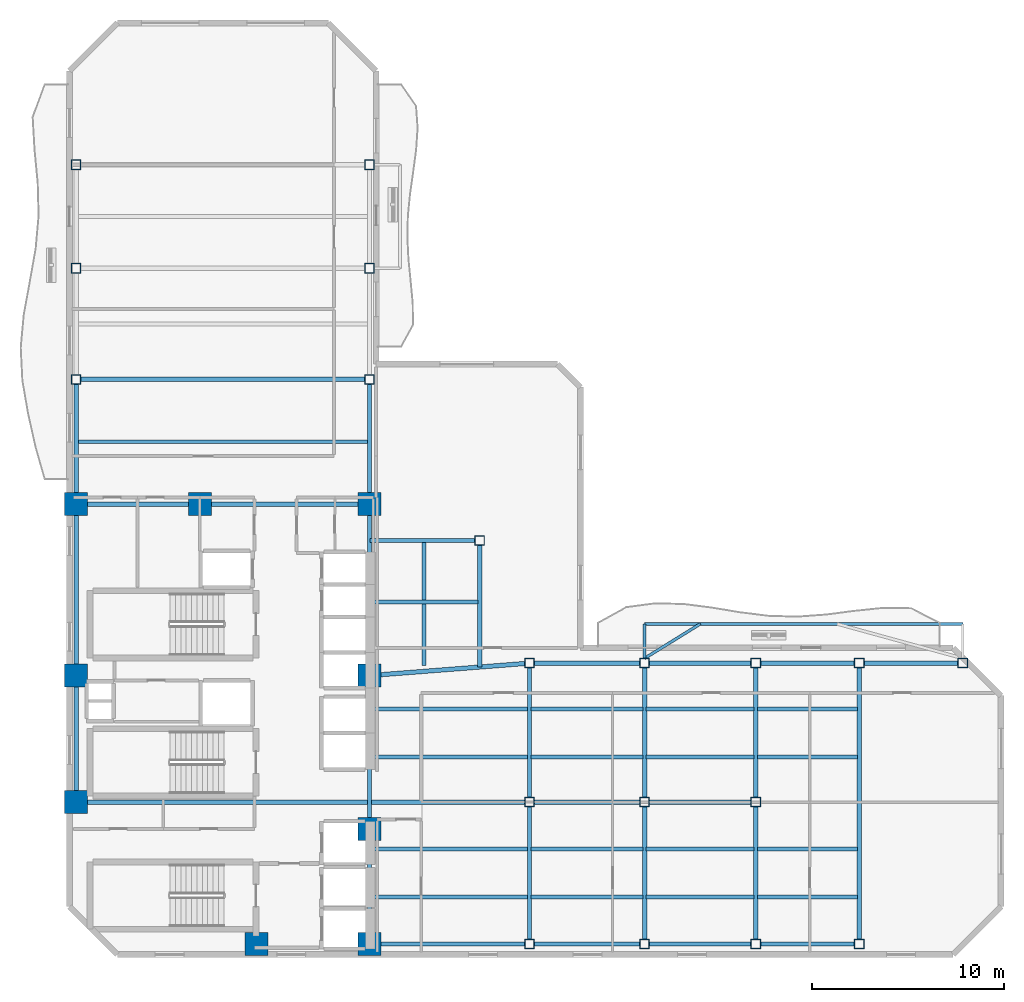
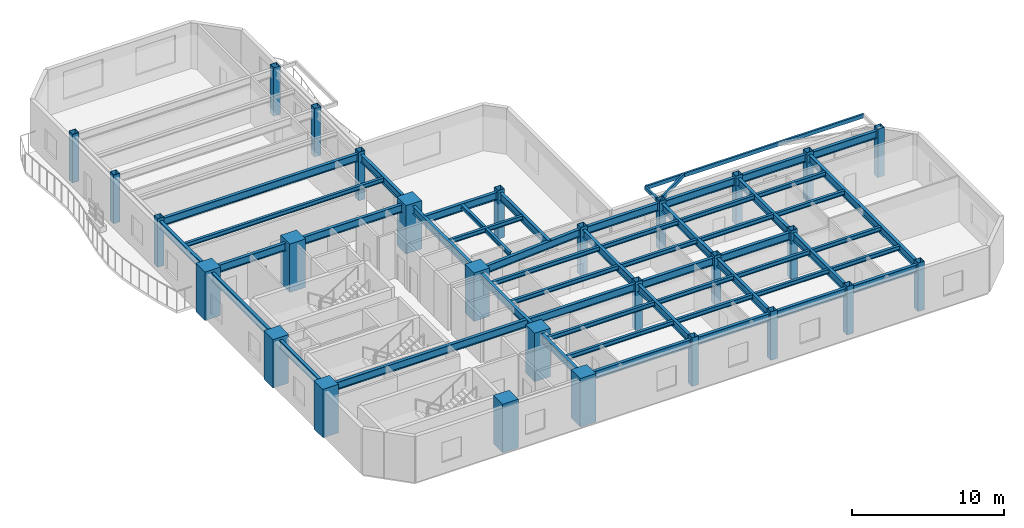
# One storey, part 1 of 9: 53 beams, 28 columns.
"""IFC4 building model written with IfcOpenShell, lengths in metres."""

from ifc_helpers import new_model, si_unit, direction, frame, origin, origin_2d, place, context, subcontext, project, spatial, rectangle, hollow_rectangle, i_section, extrude, material, material_profile, profile_set, type_object, element, save


model = new_model("IFC4")

# Units and contexts
model_context = context("Model", 3, precision=1e-05, world=origin(), true_north=direction((0.0, 1.0)))
body_context = subcontext(model_context, "Body", "Model", "MODEL_VIEW")
ifc_project = project(units=[si_unit("LENGTHUNIT", "METRE"), si_unit("AREAUNIT", "SQUARE_METRE"), si_unit("VOLUMEUNIT", "CUBIC_METRE"), si_unit("PLANEANGLEUNIT", "RADIAN"), si_unit("MASSUNIT", "GRAM", prefix="KILO")], contexts=[model_context])

# Site, building, storey
site_placement = place(None, origin())
site = spatial("IfcSite", under=ifc_project, at=site_placement, CompositionType="ELEMENT")
building_placement = place(site_placement, origin())
building = spatial("IfcBuilding", under=site, at=building_placement, Name="Mawjaban Terraces University", CompositionType="ELEMENT")
storey_placement = place(building_placement, frame((0.0, 0.0, 107.300048828125)))
storey = spatial("IfcBuildingStorey", under=building, at=storey_placement, Name="L25", CompositionType="ELEMENT", Elevation=107.300048828125)

# Columns
ifc_material_1 = material(Name="Concrete C60/75", Category="concrete")
ifc_material_profile_1 = material_profile(ifc_material_1, rectangle(XDim=1.199951171875, YDim=1.199951171875, at=origin_2d()), Name="RC1200X1200")
ifc_profile_set_1 = profile_set([ifc_material_profile_1], Name="Concrete C60/75")
column_type_1 = type_object("IfcColumnType", Name="Col_RC1200X1200", PredefinedType="COLUMN", material=ifc_profile_set_1)
for number, where, z_axis, x_axis, name in (
    (1, (31.75, 0.550048828125, 0.0), (0.0, 0.0, 1.0), (1.0, 0.0, 0.0), "L25 Column CC2"),
    (2, (37.64990234375, 0.550048828125, 0.0), (0.0, 0.0, 1.0), (1.0, 0.0, 0.0), "L25 Column CC3"),
    (3, (22.35009765625, 7.949951171875, 0.0), (0.0, 0.0, 1.0), (1.0, 0.0, 0.0), "L25 Column CC4"),
    (4, (37.64990234375, 6.550048828125, 0.0), (0.0, 0.0, 1.0), (1.0, 0.0, 0.0), "L25 Column CC5"),
    (5, (22.35009765625, 14.550048828125, 0.0), (0.0, 0.0, 1.0), (1.0, 0.0, 0.0), "L25 Column CC6"),
    (6, (37.64990234375, 14.550048828125, 0.0), (0.0, 0.0, 1.0), (1.0, 0.0, 0.0), "L25 Column CC7"),
    (7, (22.35009765625, 23.5, 0.0), (0.0, 0.0, 1.0), (1.0, 0.0, 0.0), "L25 Column CC8"),
    (8, (28.800048828125, 23.5, 0.0), (0.0, 0.0, 1.0), (1.0, 0.0, 0.0), "L25 Column CC9"),
    (9, (37.64990234375, 23.5, 0.0), (0.0, 0.0, 1.0), (1.0, 0.0, 0.0), "L25 Column CC10"),
):
    element("IfcColumn", number, at=place(storey_placement, frame(where, z_axis=z_axis, x_axis=x_axis)), inside=storey, type_object=column_type_1, Name=name, PredefinedType="COLUMN", context=body_context, shape_type="SweptSolid", body=[
        extrude(rectangle(XDim=1.199951171875, YDim=1.199951171875, at=origin_2d()), origin(), (0.0, 0.0, 1.0), 3.89990234375),
    ])
ifc_material_2 = material(Name="Steel EN 10210-1 S355J2H", Category="steel")
ifc_material_profile_2 = material_profile(ifc_material_2, hollow_rectangle(XDim=0.5, YDim=0.5, WallThickness=0.02490234375, at=origin_2d()), Name="SHS500X500X25")
ifc_profile_set_2 = profile_set([ifc_material_profile_2], Name="Steel EN 10210-1 S355J2H")
column_type_2 = type_object("IfcColumnType", Name="Col_SHS500X500X25", PredefinedType="COLUMN", material=ifc_profile_set_2)
for number, where, z_axis, x_axis, name in (
    (10, (46.0, 0.550048828125, 0.0), (0.0, 0.0, 1.0), (1.0, 0.0, 0.0), "L25 Column TE-460-005"),
    (11, (46.0, 7.949951171875, 0.0), (0.0, 0.0, 1.0), (1.0, 0.0, 0.0), "L25 Column TE-460-080"),
    (12, (46.0, 15.199951171875, 0.0), (0.0, 0.0, 1.0), (1.0, 0.0, 0.0), "L25 Column TE-460-152"),
    (13, (52.0, 0.550048828125, 0.0), (0.0, 0.0, 1.0), (1.0, 0.0, 0.0), "L25 Column TE-520-005"),
    (14, (52.0, 7.949951171875, 0.0), (0.0, 0.0, 1.0), (1.0, 0.0, 0.0), "L25 Column TE-520-080"),
    (15, (52.0, 15.199951171875, 0.0), (0.0, 0.0, 1.0), (1.0, 0.0, 0.0), "L25 Column TE-520-152"),
    (16, (57.800048828125, 0.550048828125, 0.0), (0.0, 0.0, 1.0), (1.0, 0.0, 0.0), "L25 Column TE-578-005"),
    (17, (57.800048828125, 7.949951171875, 0.0), (0.0, 0.0, 1.0), (1.0, 0.0, 0.0), "L25 Column TE-578-080"),
    (18, (57.800048828125, 15.199951171875, 0.0), (0.0, 0.0, 1.0), (1.0, 0.0, 0.0), "L25 Column TE-578-152"),
    (19, (63.199951171875, 0.550048828125, 0.0), (0.0, 0.0, 1.0), (1.0, 0.0, 0.0), "L25 Column TE-632-005"),
    (20, (63.199951171875, 15.199951171875, 0.0), (0.0, 0.0, 1.0), (1.0, 0.0, 0.0), "L25 Column TE-632-152"),
    (21, (68.60009765625, 15.199951171875, 0.0), (0.0, 0.0, 1.0), (1.0, 0.0, 0.0), "L25 Column TE-686-152"),
    (22, (22.35009765625, 30.0, 0.0), (0.0, 0.0, 1.0), (1.0, 0.0, 0.0), "L25 Column TN-223-300"),
    (23, (37.64990234375, 30.0, 0.0), (0.0, 0.0, 1.0), (1.0, 0.0, 0.0), "L25 Column TN-376-300"),
    (24, (22.35009765625, 35.800048828125, 0.0), (0.0, 0.0, 1.0), (1.0, 0.0, 0.0), "L25 Column TN-223-358"),
    (25, (37.64990234375, 35.800048828125, 0.0), (0.0, 0.0, 1.0), (1.0, 0.0, 0.0), "L25 Column TN-376-358"),
    (26, (22.35009765625, 41.199951171875, 0.0), (0.0, 0.0, 1.0), (1.0, 0.0, 0.0), "L25 Column TN-223-412"),
    (27, (37.64990234375, 41.199951171875, 0.0), (0.0, 0.0, 1.0), (1.0, 0.0, 0.0), "L25 Column TN-376-412"),
    (28, (43.39990234375, 21.60009765625, 0.0), (0.0, 0.0, 1.0), (1.0, 0.0, 0.0), "L25 Column TS-434-216"),
):
    element("IfcColumn", number, at=place(storey_placement, frame(where, z_axis=z_axis, x_axis=x_axis)), inside=storey, type_object=column_type_2, Name=name, PredefinedType="COLUMN", context=body_context, shape_type="SweptSolid", body=[
        extrude(hollow_rectangle(XDim=0.5, YDim=0.5, WallThickness=0.02490234375, at=origin_2d()), origin(), (0.0, 0.0, 1.0), 3.89990234375),
    ])

# Beams
ifc_material_profile_3 = material_profile(ifc_material_2, hollow_rectangle(XDim=0.14990234375, YDim=0.300048828125, WallThickness=0.012451171875, at=origin_2d()), Name="RHS300X150X12.5")
ifc_profile_set_3 = profile_set([ifc_material_profile_3], Name="Steel EN 10210-1 S355J2H")
beam_type_1 = type_object("IfcBeamType", Name="BalconyCantileverSpandrel_RHS", PredefinedType="SPANDREL", material=ifc_profile_set_3)
beam_1_placement = place(storey_placement, frame((52.0, 15.449951171875, 3.5400390625), z_axis=(0.0, 1.0, 0.0), x_axis=(-1.0, 0.0, 0.0)))
element("IfcBeam", 29, at=beam_1_placement, inside=storey, type_object=beam_type_1, Name="L25 Exterior Outrigger BAL-L26-N.1", PredefinedType="SPANDREL", context=body_context, shape_type="SweptSolid", body=[
    extrude(hollow_rectangle(XDim=0.14990234375, YDim=0.300048828125, WallThickness=0.012451171875, at=origin_2d()), origin(), (0.0, 0.0, 1.0), 1.800048828125),
])
beam_2_placement = place(storey_placement, frame((52.0, 17.25, 3.5400390625), z_axis=(1.0, 0.0, 0.0), x_axis=(0.0, 1.0, 0.0)))
element("IfcBeam", 30, at=beam_2_placement, inside=storey, type_object=beam_type_1, Name="L25 Exterior Edge Spandrel BAL-L26-N", PredefinedType="SPANDREL", context=body_context, shape_type="SweptSolid", body=[
    extrude(hollow_rectangle(XDim=0.14990234375, YDim=0.300048828125, WallThickness=0.012451171875, at=origin_2d()), origin(), (0.0, 0.0, 1.0), 16.60009765625),
])
beam_3_placement = place(storey_placement, frame((52.0, 15.449951171875, 3.5400390625), z_axis=(0.850359433477, 0.526202274698, 0.0), x_axis=(-0.526202274698, 0.850359433477, 0.0)))
element("IfcBeam", 31, at=beam_3_placement, inside=storey, type_object=beam_type_1, Name="L25 Exterior Diagonal Strut BAL-L26-N.1", PredefinedType="SPANDREL", context=body_context, shape_type="SweptSolid", body=[
    extrude(hollow_rectangle(XDim=0.14990234375, YDim=0.300048828125, WallThickness=0.012451171875, at=origin_2d()), origin(), (0.0, 0.0, 1.0), 3.4208984375),
])
ifc_material_3 = material(Name="Steel ASTM A572 Grade 50", Category="steel")
ifc_material_profile_4 = material_profile(ifc_material_3, i_section(OverallWidth=0.22998046875, OverallDepth=0.616943359375, WebThickness=0.01318359375, FlangeThickness=0.022216796875, at=origin_2d()), Name="W610X140")
ifc_profile_set_4 = profile_set([ifc_material_profile_4], Name="Steel ASTM A572 Grade 50")
beam_type_2 = type_object("IfcBeamType", Name="Beam_B_W610X140", PredefinedType="BEAM", material=ifc_profile_set_4)
beam_4_placement = place(storey_placement, frame((38.25, 0.550048828125, 3.380859375), z_axis=(1.0, 0.0, 0.0), x_axis=(0.0, 1.0, 0.0)))
element("IfcBeam", 32, at=beam_4_placement, inside=storey, type_object=beam_type_2, Name="L25 Beam BM-L25-EW-01", PredefinedType="BEAM", context=body_context, shape_type="SweptSolid", body=[
    extrude(i_section(OverallWidth=0.22998046875, OverallDepth=0.616943359375, WebThickness=0.01318359375, FlangeThickness=0.022216796875, at=origin_2d()), origin(), (0.0, 0.0, 1.0), 7.5),
])
beam_5_placement = place(storey_placement, frame((46.25, 0.550048828125, 3.380859375), z_axis=(1.0, 0.0, 0.0), x_axis=(0.0, 1.0, 0.0)))
element("IfcBeam", 33, at=beam_5_placement, inside=storey, type_object=beam_type_2, Name="L25 Beam BM-L25-EW-02", PredefinedType="BEAM", context=body_context, shape_type="SweptSolid", body=[
    extrude(i_section(OverallWidth=0.22998046875, OverallDepth=0.616943359375, WebThickness=0.01318359375, FlangeThickness=0.022216796875, at=origin_2d()), origin(), (0.0, 0.0, 1.0), 5.5),
])
beam_6_placement = place(storey_placement, frame((52.25, 0.550048828125, 3.380859375), z_axis=(1.0, 0.0, 0.0), x_axis=(0.0, 1.0, 0.0)))
element("IfcBeam", 34, at=beam_6_placement, inside=storey, type_object=beam_type_2, Name="L25 Beam BM-L25-EW-03", PredefinedType="BEAM", context=body_context, shape_type="SweptSolid", body=[
    extrude(i_section(OverallWidth=0.22998046875, OverallDepth=0.616943359375, WebThickness=0.01318359375, FlangeThickness=0.022216796875, at=origin_2d()), origin(), (0.0, 0.0, 1.0), 5.300048828125),
])
beam_7_placement = place(storey_placement, frame((58.050048828125, 0.550048828125, 3.380859375), z_axis=(1.0, 0.0, 0.0), x_axis=(0.0, 1.0, 0.0)))
element("IfcBeam", 35, at=beam_7_placement, inside=storey, type_object=beam_type_2, Name="L25 Beam BM-L25-EW-04", PredefinedType="BEAM", context=body_context, shape_type="SweptSolid", body=[
    extrude(i_section(OverallWidth=0.22998046875, OverallDepth=0.616943359375, WebThickness=0.01318359375, FlangeThickness=0.022216796875, at=origin_2d()), origin(), (0.0, 0.0, 1.0), 4.89990234375),
])
beam_8_placement = place(storey_placement, frame((22.949951171875, 7.949951171875, 3.380859375), z_axis=(1.0, 0.0, 0.0), x_axis=(0.0, 1.0, 0.0)))
element("IfcBeam", 36, at=beam_8_placement, inside=storey, type_object=beam_type_2, Name="L25 Beam BM-L25-EW-05", PredefinedType="BEAM", context=body_context, shape_type="SweptSolid", body=[
    extrude(i_section(OverallWidth=0.22998046875, OverallDepth=0.616943359375, WebThickness=0.01318359375, FlangeThickness=0.022216796875, at=origin_2d()), origin(), (0.0, 0.0, 1.0), 22.800048828125),
])
beam_9_placement = place(storey_placement, frame((46.25, 7.949951171875, 3.380859375), z_axis=(1.0, 0.0, 0.0), x_axis=(0.0, 1.0, 0.0)))
element("IfcBeam", 37, at=beam_9_placement, inside=storey, type_object=beam_type_2, Name="L25 Beam BM-L25-EW-06", PredefinedType="BEAM", context=body_context, shape_type="SweptSolid", body=[
    extrude(i_section(OverallWidth=0.22998046875, OverallDepth=0.616943359375, WebThickness=0.01318359375, FlangeThickness=0.022216796875, at=origin_2d()), origin(), (0.0, 0.0, 1.0), 5.5),
])
beam_10_placement = place(storey_placement, frame((52.25, 7.949951171875, 3.380859375), z_axis=(1.0, 0.0, 0.0), x_axis=(0.0, 1.0, 0.0)))
element("IfcBeam", 38, at=beam_10_placement, inside=storey, type_object=beam_type_2, Name="L25 Beam BM-L25-EW-07", PredefinedType="BEAM", context=body_context, shape_type="SweptSolid", body=[
    extrude(i_section(OverallWidth=0.22998046875, OverallDepth=0.616943359375, WebThickness=0.01318359375, FlangeThickness=0.022216796875, at=origin_2d()), origin(), (0.0, 0.0, 1.0), 5.300048828125),
])
beam_11_placement = place(storey_placement, frame((46.25, 15.199951171875, 3.380859375), z_axis=(1.0, 0.0, 0.0), x_axis=(0.0, 1.0, 0.0)))
element("IfcBeam", 39, at=beam_11_placement, inside=storey, type_object=beam_type_2, Name="L25 Beam BM-L25-EW-08", PredefinedType="BEAM", context=body_context, shape_type="SweptSolid", body=[
    extrude(i_section(OverallWidth=0.22998046875, OverallDepth=0.616943359375, WebThickness=0.01318359375, FlangeThickness=0.022216796875, at=origin_2d()), origin(), (0.0, 0.0, 1.0), 5.5),
])
beam_12_placement = place(storey_placement, frame((52.25, 15.199951171875, 3.380859375), z_axis=(1.0, 0.0, 0.0), x_axis=(0.0, 1.0, 0.0)))
element("IfcBeam", 40, at=beam_12_placement, inside=storey, type_object=beam_type_2, Name="L25 Beam BM-L25-EW-09", PredefinedType="BEAM", context=body_context, shape_type="SweptSolid", body=[
    extrude(i_section(OverallWidth=0.22998046875, OverallDepth=0.616943359375, WebThickness=0.01318359375, FlangeThickness=0.022216796875, at=origin_2d()), origin(), (0.0, 0.0, 1.0), 5.300048828125),
])
beam_13_placement = place(storey_placement, frame((58.050048828125, 15.199951171875, 3.380859375), z_axis=(1.0, 0.0, 0.0), x_axis=(0.0, 1.0, 0.0)))
element("IfcBeam", 41, at=beam_13_placement, inside=storey, type_object=beam_type_2, Name="L25 Beam BM-L25-EW-10", PredefinedType="BEAM", context=body_context, shape_type="SweptSolid", body=[
    extrude(i_section(OverallWidth=0.22998046875, OverallDepth=0.616943359375, WebThickness=0.01318359375, FlangeThickness=0.022216796875, at=origin_2d()), origin(), (0.0, 0.0, 1.0), 4.89990234375),
])
beam_14_placement = place(storey_placement, frame((63.449951171875, 15.199951171875, 3.380859375), z_axis=(1.0, 0.0, 0.0), x_axis=(0.0, 1.0, 0.0)))
element("IfcBeam", 42, at=beam_14_placement, inside=storey, type_object=beam_type_2, Name="L25 Beam BM-L25-EW-11", PredefinedType="BEAM", context=body_context, shape_type="SweptSolid", body=[
    extrude(i_section(OverallWidth=0.22998046875, OverallDepth=0.616943359375, WebThickness=0.01318359375, FlangeThickness=0.022216796875, at=origin_2d()), origin(), (0.0, 0.0, 1.0), 4.900146484375),
])
beam_15_placement = place(storey_placement, frame((22.949951171875, 23.5, 3.380859375), z_axis=(1.0, 0.0, 0.0), x_axis=(0.0, 1.0, 0.0)))
element("IfcBeam", 43, at=beam_15_placement, inside=storey, type_object=beam_type_2, Name="L25 Beam BM-L25-EW-12", PredefinedType="BEAM", context=body_context, shape_type="SweptSolid", body=[
    extrude(i_section(OverallWidth=0.22998046875, OverallDepth=0.616943359375, WebThickness=0.01318359375, FlangeThickness=0.022216796875, at=origin_2d()), origin(), (0.0, 0.0, 1.0), 5.25),
])
beam_16_placement = place(storey_placement, frame((29.39990234375, 23.5, 3.380859375), z_axis=(1.0, 0.0, 0.0), x_axis=(0.0, 1.0, 0.0)))
element("IfcBeam", 44, at=beam_16_placement, inside=storey, type_object=beam_type_2, Name="L25 Beam BM-L25-EW-13", PredefinedType="BEAM", context=body_context, shape_type="SweptSolid", body=[
    extrude(i_section(OverallWidth=0.22998046875, OverallDepth=0.616943359375, WebThickness=0.01318359375, FlangeThickness=0.022216796875, at=origin_2d()), origin(), (0.0, 0.0, 1.0), 7.650146484375),
])
beam_17_placement = place(storey_placement, frame((22.60009765625, 30.0, 3.380859375), z_axis=(1.0, 0.0, 0.0), x_axis=(0.0, 1.0, 0.0)))
element("IfcBeam", 45, at=beam_17_placement, inside=storey, type_object=beam_type_2, Name="L25 Beam BM-L25-EW-14", PredefinedType="BEAM", context=body_context, shape_type="SweptSolid", body=[
    extrude(i_section(OverallWidth=0.22998046875, OverallDepth=0.616943359375, WebThickness=0.01318359375, FlangeThickness=0.022216796875, at=origin_2d()), origin(), (0.0, 0.0, 1.0), 14.7998046875),
])
beam_18_placement = place(storey_placement, frame((22.35009765625, 8.550048828125, 3.380859375), z_axis=(0.0, 1.0, 0.0), x_axis=(-1.0, 0.0, 0.0)))
element("IfcBeam", 46, at=beam_18_placement, inside=storey, type_object=beam_type_2, Name="L25 Beam BM-L25-NS-01", PredefinedType="BEAM", context=body_context, shape_type="SweptSolid", body=[
    extrude(i_section(OverallWidth=0.22998046875, OverallDepth=0.616943359375, WebThickness=0.01318359375, FlangeThickness=0.022216796875, at=origin_2d()), origin(), (0.0, 0.0, 1.0), 5.39990234375),
])
beam_19_placement = place(storey_placement, frame((22.35009765625, 15.14990234375, 3.380859375), z_axis=(0.0, 1.0, 0.0), x_axis=(-1.0, 0.0, 0.0)))
element("IfcBeam", 47, at=beam_19_placement, inside=storey, type_object=beam_type_2, Name="L25 Beam BM-L25-NS-02", PredefinedType="BEAM", context=body_context, shape_type="SweptSolid", body=[
    extrude(i_section(OverallWidth=0.22998046875, OverallDepth=0.616943359375, WebThickness=0.01318359375, FlangeThickness=0.022216796875, at=origin_2d()), origin(), (0.0, 0.0, 1.0), 7.75),
])
beam_20_placement = place(storey_placement, frame((22.35009765625, 24.10009765625, 3.380859375), z_axis=(0.0, 1.0, 0.0), x_axis=(-1.0, 0.0, 0.0)))
element("IfcBeam", 48, at=beam_20_placement, inside=storey, type_object=beam_type_2, Name="L25 Beam BM-L25-NS-03", PredefinedType="BEAM", context=body_context, shape_type="SweptSolid", body=[
    extrude(i_section(OverallWidth=0.22998046875, OverallDepth=0.616943359375, WebThickness=0.01318359375, FlangeThickness=0.022216796875, at=origin_2d()), origin(), (0.0, 0.0, 1.0), 5.64990234375),
])
beam_21_placement = place(storey_placement, frame((37.64990234375, 1.14990234375, 3.380859375), z_axis=(0.0, 1.0, 0.0), x_axis=(-1.0, 0.0, 0.0)))
element("IfcBeam", 49, at=beam_21_placement, inside=storey, type_object=beam_type_2, Name="L25 Beam BM-L25-NS-06", PredefinedType="BEAM", context=body_context, shape_type="SweptSolid", body=[
    extrude(i_section(OverallWidth=0.22998046875, OverallDepth=0.616943359375, WebThickness=0.01318359375, FlangeThickness=0.022216796875, at=origin_2d()), origin(), (0.0, 0.0, 1.0), 4.800048828125),
])
beam_22_placement = place(storey_placement, frame((37.64990234375, 7.14990234375, 3.380859375), z_axis=(0.0, 1.0, 0.0), x_axis=(-1.0, 0.0, 0.0)))
element("IfcBeam", 50, at=beam_22_placement, inside=storey, type_object=beam_type_2, Name="L25 Beam BM-L25-NS-07", PredefinedType="BEAM", context=body_context, shape_type="SweptSolid", body=[
    extrude(i_section(OverallWidth=0.22998046875, OverallDepth=0.616943359375, WebThickness=0.01318359375, FlangeThickness=0.022216796875, at=origin_2d()), origin(), (0.0, 0.0, 1.0), 6.800048828125),
])
beam_23_placement = place(storey_placement, frame((37.64990234375, 15.14990234375, 3.380859375), z_axis=(0.0, 1.0, 0.0), x_axis=(-1.0, 0.0, 0.0)))
element("IfcBeam", 51, at=beam_23_placement, inside=storey, type_object=beam_type_2, Name="L25 Beam BM-L25-NS-08", PredefinedType="BEAM", context=body_context, shape_type="SweptSolid", body=[
    extrude(i_section(OverallWidth=0.22998046875, OverallDepth=0.616943359375, WebThickness=0.01318359375, FlangeThickness=0.022216796875, at=origin_2d()), origin(), (0.0, 0.0, 1.0), 7.75),
])
beam_24_placement = place(storey_placement, frame((37.64990234375, 24.10009765625, 3.380859375), z_axis=(0.0, 1.0, 0.0), x_axis=(-1.0, 0.0, 0.0)))
element("IfcBeam", 52, at=beam_24_placement, inside=storey, type_object=beam_type_2, Name="L25 Beam BM-L25-NS-09", PredefinedType="BEAM", context=body_context, shape_type="SweptSolid", body=[
    extrude(i_section(OverallWidth=0.22998046875, OverallDepth=0.616943359375, WebThickness=0.01318359375, FlangeThickness=0.022216796875, at=origin_2d()), origin(), (0.0, 0.0, 1.0), 5.64990234375),
])
beam_25_placement = place(storey_placement, frame((46.0, 0.800048828125, 3.380859375), z_axis=(0.0, 1.0, 0.0), x_axis=(-1.0, 0.0, 0.0)))
element("IfcBeam", 53, at=beam_25_placement, inside=storey, type_object=beam_type_2, Name="L25 Beam BM-L25-NS-12", PredefinedType="BEAM", context=body_context, shape_type="SweptSolid", body=[
    extrude(i_section(OverallWidth=0.22998046875, OverallDepth=0.616943359375, WebThickness=0.01318359375, FlangeThickness=0.022216796875, at=origin_2d()), origin(), (0.0, 0.0, 1.0), 6.89990234375),
])
beam_26_placement = place(storey_placement, frame((46.0, 8.199951171875, 3.380859375), z_axis=(0.0, 1.0, 0.0), x_axis=(-1.0, 0.0, 0.0)))
element("IfcBeam", 54, at=beam_26_placement, inside=storey, type_object=beam_type_2, Name="L25 Beam BM-L25-NS-13", PredefinedType="BEAM", context=body_context, shape_type="SweptSolid", body=[
    extrude(i_section(OverallWidth=0.22998046875, OverallDepth=0.616943359375, WebThickness=0.01318359375, FlangeThickness=0.022216796875, at=origin_2d()), origin(), (0.0, 0.0, 1.0), 6.75),
])
beam_27_placement = place(storey_placement, frame((52.0, 0.800048828125, 3.380859375), z_axis=(0.0, 1.0, 0.0), x_axis=(-1.0, 0.0, 0.0)))
element("IfcBeam", 55, at=beam_27_placement, inside=storey, type_object=beam_type_2, Name="L25 Beam BM-L25-NS-14", PredefinedType="BEAM", context=body_context, shape_type="SweptSolid", body=[
    extrude(i_section(OverallWidth=0.22998046875, OverallDepth=0.616943359375, WebThickness=0.01318359375, FlangeThickness=0.022216796875, at=origin_2d()), origin(), (0.0, 0.0, 1.0), 6.89990234375),
])
beam_28_placement = place(storey_placement, frame((52.0, 8.199951171875, 3.380859375), z_axis=(0.0, 1.0, 0.0), x_axis=(-1.0, 0.0, 0.0)))
element("IfcBeam", 56, at=beam_28_placement, inside=storey, type_object=beam_type_2, Name="L25 Beam BM-L25-NS-15", PredefinedType="BEAM", context=body_context, shape_type="SweptSolid", body=[
    extrude(i_section(OverallWidth=0.22998046875, OverallDepth=0.616943359375, WebThickness=0.01318359375, FlangeThickness=0.022216796875, at=origin_2d()), origin(), (0.0, 0.0, 1.0), 6.75),
])
beam_29_placement = place(storey_placement, frame((57.800048828125, 0.800048828125, 3.380859375), z_axis=(0.0, 1.0, 0.0), x_axis=(-1.0, 0.0, 0.0)))
element("IfcBeam", 57, at=beam_29_placement, inside=storey, type_object=beam_type_2, Name="L25 Beam BM-L25-NS-16", PredefinedType="BEAM", context=body_context, shape_type="SweptSolid", body=[
    extrude(i_section(OverallWidth=0.22998046875, OverallDepth=0.616943359375, WebThickness=0.01318359375, FlangeThickness=0.022216796875, at=origin_2d()), origin(), (0.0, 0.0, 1.0), 6.89990234375),
])
beam_30_placement = place(storey_placement, frame((57.800048828125, 8.199951171875, 3.380859375), z_axis=(0.0, 1.0, 0.0), x_axis=(-1.0, 0.0, 0.0)))
element("IfcBeam", 58, at=beam_30_placement, inside=storey, type_object=beam_type_2, Name="L25 Beam BM-L25-NS-17", PredefinedType="BEAM", context=body_context, shape_type="SweptSolid", body=[
    extrude(i_section(OverallWidth=0.22998046875, OverallDepth=0.616943359375, WebThickness=0.01318359375, FlangeThickness=0.022216796875, at=origin_2d()), origin(), (0.0, 0.0, 1.0), 6.75),
])
beam_31_placement = place(storey_placement, frame((63.199951171875, 0.800048828125, 3.380859375), z_axis=(0.0, 1.0, 0.0), x_axis=(-1.0, 0.0, 0.0)))
element("IfcBeam", 59, at=beam_31_placement, inside=storey, type_object=beam_type_2, Name="L25 Beam BM-L25-NS-18", PredefinedType="BEAM", context=body_context, shape_type="SweptSolid", body=[
    extrude(i_section(OverallWidth=0.22998046875, OverallDepth=0.616943359375, WebThickness=0.01318359375, FlangeThickness=0.022216796875, at=origin_2d()), origin(), (0.0, 0.0, 1.0), 14.14990234375),
])
beam_32_placement = place(storey_placement, frame((38.248046875, 14.596923828125, 3.380859375), z_axis=(0.996984614132, 0.077599479273, 0.0), x_axis=(-0.077599479273, 0.996984614132, 0.0)))
element("IfcBeam", 60, at=beam_32_placement, inside=storey, type_object=beam_type_2, Name="L25 Beam BM-L25-CTIE", PredefinedType="BEAM", context=body_context, shape_type="SweptSolid", body=[
    extrude(i_section(OverallWidth=0.22998046875, OverallDepth=0.616943359375, WebThickness=0.01318359375, FlangeThickness=0.022216796875, at=origin_2d()), origin(), (0.0, 0.0, 1.0), 7.525634765625),
])
beam_33_placement = place(storey_placement, frame((37.679931640625, 21.60009765625, 3.380859375), z_axis=(1.0, 0.0, 0.0), x_axis=(0.0, 1.0, 0.0)))
element("IfcBeam", 61, at=beam_33_placement, inside=storey, type_object=beam_type_2, Name="L25 Spur Tie Girder West", PredefinedType="BEAM", context=body_context, shape_type="SweptSolid", body=[
    extrude(i_section(OverallWidth=0.22998046875, OverallDepth=0.616943359375, WebThickness=0.01318359375, FlangeThickness=0.022216796875, at=origin_2d()), origin(), (0.0, 0.0, 1.0), 5.469970703125),
])
beam_34_placement = place(storey_placement, frame((43.39990234375, 15.0, 3.380859375), z_axis=(0.0, 1.0, 0.0), x_axis=(-1.0, 0.0, 0.0)))
element("IfcBeam", 62, at=beam_34_placement, inside=storey, type_object=beam_type_2, Name="L25 Spur Tie Girder South", PredefinedType="BEAM", context=body_context, shape_type="SweptSolid", body=[
    extrude(i_section(OverallWidth=0.22998046875, OverallDepth=0.616943359375, WebThickness=0.01318359375, FlangeThickness=0.022216796875, at=origin_2d()), origin(), (0.0, 0.0, 1.0), 6.35009765625),
])
ifc_material_profile_5 = material_profile(ifc_material_3, i_section(OverallWidth=0.202880859375, OverallDepth=0.346923828125, WebThickness=0.0078125, FlangeThickness=0.013427734375, at=origin_2d()), Name="W360X64")
ifc_profile_set_5 = profile_set([ifc_material_profile_5], Name="Steel ASTM A572 Grade 50")
beam_type_3 = type_object("IfcBeamType", Name="Beam_J_W360X64", PredefinedType="JOIST", material=ifc_profile_set_5)
beam_35_placement = place(storey_placement, frame((37.72998046875, 3.0, 3.515869140625), z_axis=(1.0, 0.0, 0.0), x_axis=(0.0, 1.0, 0.0)))
element("IfcBeam", 63, at=beam_35_placement, inside=storey, type_object=beam_type_3, Name="L25 Composite Joist JST-L25-01", PredefinedType="JOIST", context=body_context, shape_type="SweptSolid", body=[
    extrude(i_section(OverallWidth=0.202880859375, OverallDepth=0.346923828125, WebThickness=0.0078125, FlangeThickness=0.013427734375, at=origin_2d()), origin(), (0.0, 0.0, 1.0), 8.18994140625),
])
beam_36_placement = place(storey_placement, frame((46.080078125, 3.0, 3.515869140625), z_axis=(1.0, 0.0, 0.0), x_axis=(0.0, 1.0, 0.0)))
element("IfcBeam", 64, at=beam_36_placement, inside=storey, type_object=beam_type_3, Name="L25 Composite Joist JST-L25-02", PredefinedType="JOIST", context=body_context, shape_type="SweptSolid", body=[
    extrude(i_section(OverallWidth=0.202880859375, OverallDepth=0.346923828125, WebThickness=0.0078125, FlangeThickness=0.013427734375, at=origin_2d()), origin(), (0.0, 0.0, 1.0), 5.83984375),
])
beam_37_placement = place(storey_placement, frame((52.080078125, 3.0, 3.515869140625), z_axis=(1.0, 0.0, 0.0), x_axis=(0.0, 1.0, 0.0)))
element("IfcBeam", 65, at=beam_37_placement, inside=storey, type_object=beam_type_3, Name="L25 Composite Joist JST-L25-03", PredefinedType="JOIST", context=body_context, shape_type="SweptSolid", body=[
    extrude(i_section(OverallWidth=0.202880859375, OverallDepth=0.346923828125, WebThickness=0.0078125, FlangeThickness=0.013427734375, at=origin_2d()), origin(), (0.0, 0.0, 1.0), 5.639892578125),
])
beam_38_placement = place(storey_placement, frame((57.8798828125, 3.0, 3.515869140625), z_axis=(1.0, 0.0, 0.0), x_axis=(0.0, 1.0, 0.0)))
element("IfcBeam", 66, at=beam_38_placement, inside=storey, type_object=beam_type_3, Name="L25 Composite Joist JST-L25-04", PredefinedType="JOIST", context=body_context, shape_type="SweptSolid", body=[
    extrude(i_section(OverallWidth=0.202880859375, OverallDepth=0.346923828125, WebThickness=0.0078125, FlangeThickness=0.013427734375, at=origin_2d()), origin(), (0.0, 0.0, 1.0), 5.240234375),
])
beam_39_placement = place(storey_placement, frame((37.72998046875, 5.5, 3.515869140625), z_axis=(1.0, 0.0, 0.0), x_axis=(0.0, 1.0, 0.0)))
element("IfcBeam", 67, at=beam_39_placement, inside=storey, type_object=beam_type_3, Name="L25 Composite Joist JST-L25-05", PredefinedType="JOIST", context=body_context, shape_type="SweptSolid", body=[
    extrude(i_section(OverallWidth=0.202880859375, OverallDepth=0.346923828125, WebThickness=0.0078125, FlangeThickness=0.013427734375, at=origin_2d()), origin(), (0.0, 0.0, 1.0), 8.18994140625),
])
beam_40_placement = place(storey_placement, frame((46.080078125, 5.5, 3.515869140625), z_axis=(1.0, 0.0, 0.0), x_axis=(0.0, 1.0, 0.0)))
element("IfcBeam", 68, at=beam_40_placement, inside=storey, type_object=beam_type_3, Name="L25 Composite Joist JST-L25-06", PredefinedType="JOIST", context=body_context, shape_type="SweptSolid", body=[
    extrude(i_section(OverallWidth=0.202880859375, OverallDepth=0.346923828125, WebThickness=0.0078125, FlangeThickness=0.013427734375, at=origin_2d()), origin(), (0.0, 0.0, 1.0), 5.83984375),
])
beam_41_placement = place(storey_placement, frame((52.080078125, 5.5, 3.515869140625), z_axis=(1.0, 0.0, 0.0), x_axis=(0.0, 1.0, 0.0)))
element("IfcBeam", 69, at=beam_41_placement, inside=storey, type_object=beam_type_3, Name="L25 Composite Joist JST-L25-07", PredefinedType="JOIST", context=body_context, shape_type="SweptSolid", body=[
    extrude(i_section(OverallWidth=0.202880859375, OverallDepth=0.346923828125, WebThickness=0.0078125, FlangeThickness=0.013427734375, at=origin_2d()), origin(), (0.0, 0.0, 1.0), 5.639892578125),
])
beam_42_placement = place(storey_placement, frame((57.8798828125, 5.5, 3.515869140625), z_axis=(1.0, 0.0, 0.0), x_axis=(0.0, 1.0, 0.0)))
element("IfcBeam", 70, at=beam_42_placement, inside=storey, type_object=beam_type_3, Name="L25 Composite Joist JST-L25-08", PredefinedType="JOIST", context=body_context, shape_type="SweptSolid", body=[
    extrude(i_section(OverallWidth=0.202880859375, OverallDepth=0.346923828125, WebThickness=0.0078125, FlangeThickness=0.013427734375, at=origin_2d()), origin(), (0.0, 0.0, 1.0), 5.240234375),
])
beam_43_placement = place(storey_placement, frame((37.72998046875, 10.300048828125, 3.515869140625), z_axis=(1.0, 0.0, 0.0), x_axis=(0.0, 1.0, 0.0)))
element("IfcBeam", 71, at=beam_43_placement, inside=storey, type_object=beam_type_3, Name="L25 Composite Joist JST-L25-09", PredefinedType="JOIST", context=body_context, shape_type="SweptSolid", body=[
    extrude(i_section(OverallWidth=0.202880859375, OverallDepth=0.346923828125, WebThickness=0.0078125, FlangeThickness=0.013427734375, at=origin_2d()), origin(), (0.0, 0.0, 1.0), 8.18994140625),
])
beam_44_placement = place(storey_placement, frame((46.080078125, 10.300048828125, 3.515869140625), z_axis=(1.0, 0.0, 0.0), x_axis=(0.0, 1.0, 0.0)))
element("IfcBeam", 72, at=beam_44_placement, inside=storey, type_object=beam_type_3, Name="L25 Composite Joist JST-L25-10", PredefinedType="JOIST", context=body_context, shape_type="SweptSolid", body=[
    extrude(i_section(OverallWidth=0.202880859375, OverallDepth=0.346923828125, WebThickness=0.0078125, FlangeThickness=0.013427734375, at=origin_2d()), origin(), (0.0, 0.0, 1.0), 5.83984375),
])
beam_45_placement = place(storey_placement, frame((52.080078125, 10.300048828125, 3.515869140625), z_axis=(1.0, 0.0, 0.0), x_axis=(0.0, 1.0, 0.0)))
element("IfcBeam", 73, at=beam_45_placement, inside=storey, type_object=beam_type_3, Name="L25 Composite Joist JST-L25-11", PredefinedType="JOIST", context=body_context, shape_type="SweptSolid", body=[
    extrude(i_section(OverallWidth=0.202880859375, OverallDepth=0.346923828125, WebThickness=0.0078125, FlangeThickness=0.013427734375, at=origin_2d()), origin(), (0.0, 0.0, 1.0), 5.639892578125),
])
beam_46_placement = place(storey_placement, frame((57.8798828125, 10.300048828125, 3.515869140625), z_axis=(1.0, 0.0, 0.0), x_axis=(0.0, 1.0, 0.0)))
element("IfcBeam", 74, at=beam_46_placement, inside=storey, type_object=beam_type_3, Name="L25 Composite Joist JST-L25-12", PredefinedType="JOIST", context=body_context, shape_type="SweptSolid", body=[
    extrude(i_section(OverallWidth=0.202880859375, OverallDepth=0.346923828125, WebThickness=0.0078125, FlangeThickness=0.013427734375, at=origin_2d()), origin(), (0.0, 0.0, 1.0), 5.240234375),
])
beam_47_placement = place(storey_placement, frame((37.72998046875, 12.800048828125, 3.515869140625), z_axis=(1.0, 0.0, 0.0), x_axis=(0.0, 1.0, 0.0)))
element("IfcBeam", 75, at=beam_47_placement, inside=storey, type_object=beam_type_3, Name="L25 Composite Joist JST-L25-13", PredefinedType="JOIST", context=body_context, shape_type="SweptSolid", body=[
    extrude(i_section(OverallWidth=0.202880859375, OverallDepth=0.346923828125, WebThickness=0.0078125, FlangeThickness=0.013427734375, at=origin_2d()), origin(), (0.0, 0.0, 1.0), 8.18994140625),
])
beam_48_placement = place(storey_placement, frame((46.080078125, 12.800048828125, 3.515869140625), z_axis=(1.0, 0.0, 0.0), x_axis=(0.0, 1.0, 0.0)))
element("IfcBeam", 76, at=beam_48_placement, inside=storey, type_object=beam_type_3, Name="L25 Composite Joist JST-L25-14", PredefinedType="JOIST", context=body_context, shape_type="SweptSolid", body=[
    extrude(i_section(OverallWidth=0.202880859375, OverallDepth=0.346923828125, WebThickness=0.0078125, FlangeThickness=0.013427734375, at=origin_2d()), origin(), (0.0, 0.0, 1.0), 5.83984375),
])
beam_49_placement = place(storey_placement, frame((52.080078125, 12.800048828125, 3.515869140625), z_axis=(1.0, 0.0, 0.0), x_axis=(0.0, 1.0, 0.0)))
element("IfcBeam", 77, at=beam_49_placement, inside=storey, type_object=beam_type_3, Name="L25 Composite Joist JST-L25-15", PredefinedType="JOIST", context=body_context, shape_type="SweptSolid", body=[
    extrude(i_section(OverallWidth=0.202880859375, OverallDepth=0.346923828125, WebThickness=0.0078125, FlangeThickness=0.013427734375, at=origin_2d()), origin(), (0.0, 0.0, 1.0), 5.639892578125),
])
beam_50_placement = place(storey_placement, frame((57.8798828125, 12.800048828125, 3.515869140625), z_axis=(1.0, 0.0, 0.0), x_axis=(0.0, 1.0, 0.0)))
element("IfcBeam", 78, at=beam_50_placement, inside=storey, type_object=beam_type_3, Name="L25 Composite Joist JST-L25-16", PredefinedType="JOIST", context=body_context, shape_type="SweptSolid", body=[
    extrude(i_section(OverallWidth=0.202880859375, OverallDepth=0.346923828125, WebThickness=0.0078125, FlangeThickness=0.013427734375, at=origin_2d()), origin(), (0.0, 0.0, 1.0), 5.240234375),
])
beam_51_placement = place(storey_placement, frame((37.72998046875, 18.39990234375, 3.515869140625), z_axis=(1.0, 0.0, 0.0), x_axis=(0.0, 1.0, 0.0)))
element("IfcBeam", 79, at=beam_51_placement, inside=storey, type_object=beam_type_3, Name="L25 Composite Joist JST-L25-17", PredefinedType="JOIST", context=body_context, shape_type="SweptSolid", body=[
    extrude(i_section(OverallWidth=0.202880859375, OverallDepth=0.346923828125, WebThickness=0.0078125, FlangeThickness=0.013427734375, at=origin_2d()), origin(), (0.0, 0.0, 1.0), 5.590087890625),
])
beam_52_placement = place(storey_placement, frame((22.429931640625, 26.75, 3.515869140625), z_axis=(1.0, 0.0, 0.0), x_axis=(0.0, 1.0, 0.0)))
element("IfcBeam", 80, at=beam_52_placement, inside=storey, type_object=beam_type_3, Name="L25 Composite Joist JST-L25-18", PredefinedType="JOIST", context=body_context, shape_type="SweptSolid", body=[
    extrude(i_section(OverallWidth=0.202880859375, OverallDepth=0.346923828125, WebThickness=0.0078125, FlangeThickness=0.013427734375, at=origin_2d()), origin(), (0.0, 0.0, 1.0), 15.14013671875),
])
beam_53_placement = place(storey_placement, frame((40.5, 15.080078125, 3.515869140625), z_axis=(0.0, 1.0, 0.0), x_axis=(-1.0, 0.0, 0.0)))
element("IfcBeam", 81, at=beam_53_placement, inside=storey, type_object=beam_type_3, Name="L25 Composite Joist JST-L25-NS-21", PredefinedType="JOIST", context=body_context, shape_type="SweptSolid", body=[
    extrude(i_section(OverallWidth=0.202880859375, OverallDepth=0.346923828125, WebThickness=0.0078125, FlangeThickness=0.013427734375, at=origin_2d()), origin(), (0.0, 0.0, 1.0), 6.43994140625),
])

save(model, "model.ifc")
